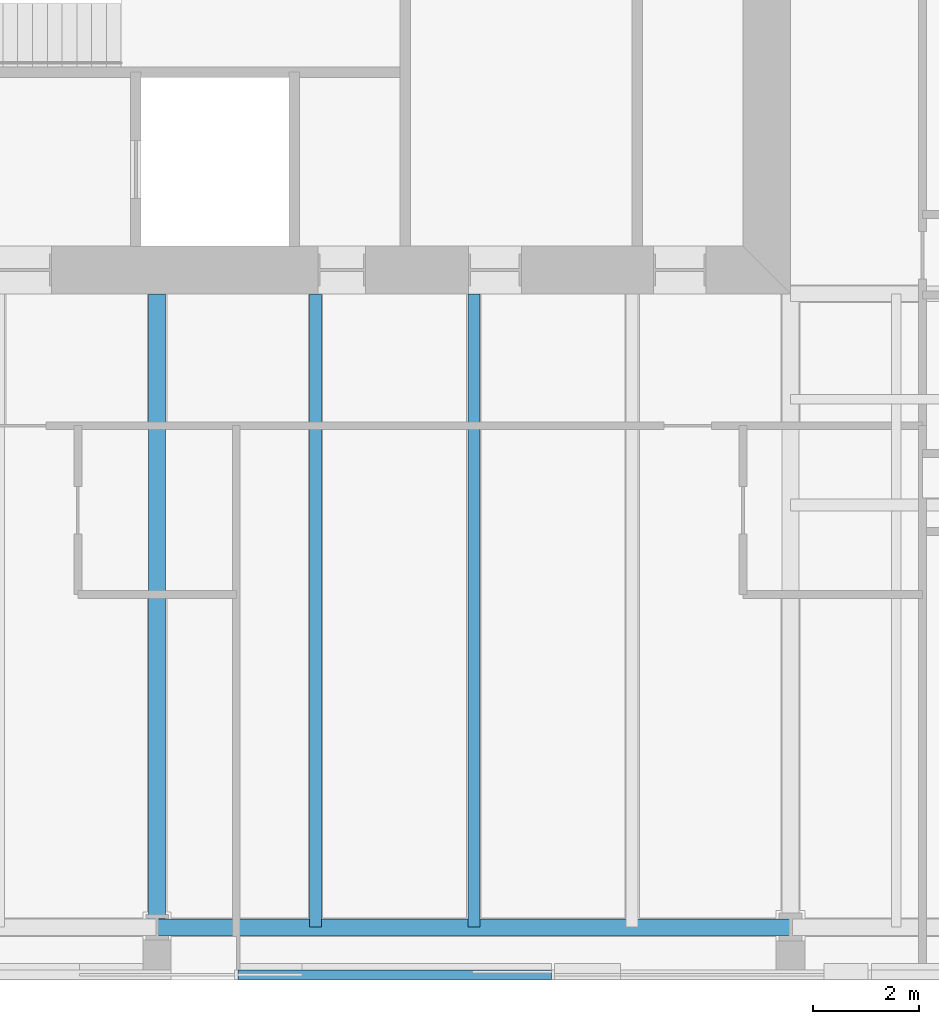
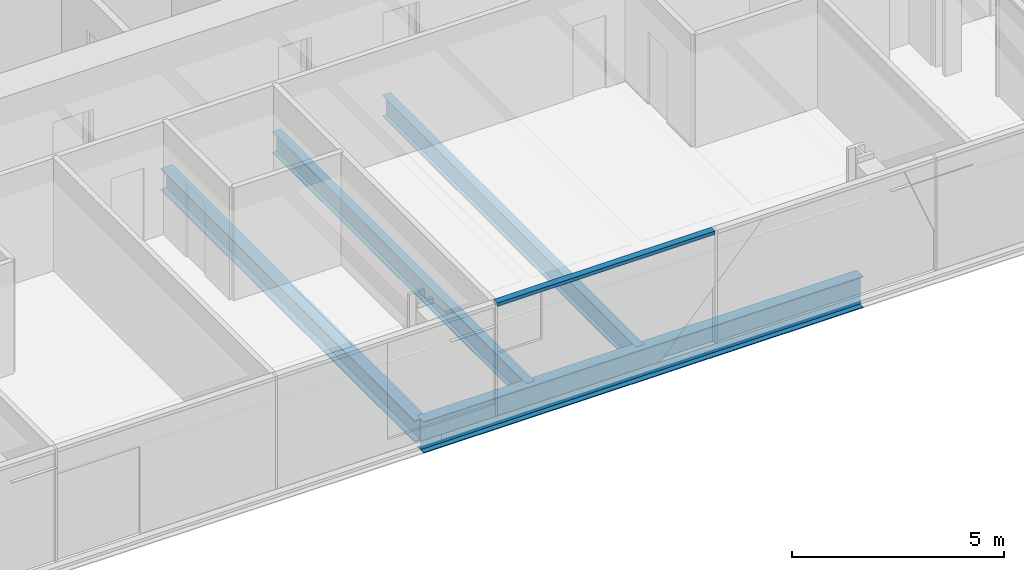
# One storey, part 3 of 20: 4 beams, 1 member, 1 element without a shape of its own.
"""IFC4 building model written with IfcOpenShell, lengths in metres."""

from ifc_helpers import new_model, si_unit, direction, frame, origin, origin_2d, place, context, subcontext, project, spatial, rectangle, i_section, extrude, material, material_profile, profile_set, type_object, element, aggregate, save


model = new_model("IFC4")

# Units and contexts
model_context = context("Model", 3, precision=1e-05, world=origin(), true_north=direction((0.0, 1.0)))
body_context = subcontext(model_context, "Body", "Model", "MODEL_VIEW")
ifc_project = project(units=[si_unit("LENGTHUNIT", "METRE"), si_unit("AREAUNIT", "SQUARE_METRE"), si_unit("VOLUMEUNIT", "CUBIC_METRE"), si_unit("PLANEANGLEUNIT", "RADIAN"), si_unit("MASSUNIT", "GRAM", prefix="KILO")], contexts=[model_context])

# Site, building, storey
site_placement = place(None, origin())
site = spatial("IfcSite", under=ifc_project, at=site_placement, CompositionType="ELEMENT")
building_placement = place(site_placement, origin())
building = spatial("IfcBuilding", under=site, at=building_placement, Name="Fenwick Lantern Interchange", CompositionType="ELEMENT")
storey_placement = place(building_placement, frame((0.0, 0.0, 286.60009765625)))
storey = spatial("IfcBuildingStorey", under=building, at=storey_placement, Name="L69", CompositionType="ELEMENT", Elevation=286.60009765625)

# Beams
ifc_material_1 = material(Name="Steel ASTM A992 Grade 50", Category="steel")
ifc_material_profile_1 = material_profile(ifc_material_1, i_section(OverallWidth=0.3046875, OverallDepth=0.911865234375, WebThickness=0.015869140625, FlangeThickness=0.02392578125, at=origin_2d()), Name="W36X150")
ifc_profile_set_1 = profile_set([ifc_material_profile_1], Name="Steel ASTM A992 Grade 50")
beam_type_1 = type_object("IfcBeamType", Name="EDGE BEAM W36X150", PredefinedType="SPANDREL", material=ifc_profile_set_1)
beam_1_placement = place(storey_placement, frame((25.0, 1.0, -0.60595703125), z_axis=(1.0, 0.0, 0.0), x_axis=(0.0, 1.0, 0.0)))
element("IfcBeam", 1, at=beam_1_placement, inside=storey, type_object=beam_type_1, Name="L69/FR/S/EB3", PredefinedType="SPANDREL", context=body_context, shape_type="SweptSolid", body=[
    extrude(i_section(OverallWidth=0.3046875, OverallDepth=0.911865234375, WebThickness=0.015869140625, FlangeThickness=0.02392578125, at=origin_2d()), origin(), (0.0, 0.0, 1.0), 12.0),
])
ifc_material_profile_2 = material_profile(ifc_material_1, i_section(OverallWidth=0.22900390625, OverallDepth=0.612060546875, WebThickness=0.011962890625, FlangeThickness=0.01953125, at=origin_2d()), Name="W24X84")
ifc_profile_set_2 = profile_set([ifc_material_profile_2], Name="Steel ASTM A992 Grade 50")
beam_type_2 = type_object("IfcBeamType", Name="FLOOR BEAM W24X84", PredefinedType="BEAM", material=ifc_profile_set_2)
for number, where, z_axis, x_axis, name in (
    (2, (28.0, 1.0, -0.4560546875), (0.0, 1.0, 0.0), (-1.0, 0.0, 0.0), "L69/FR/S/R06"),
    (3, (31.0, 1.0, -0.4560546875), (0.0, 1.0, 0.0), (-1.0, 0.0, 0.0), "L69/FR/S/R07"),
):
    element("IfcBeam", number, at=place(storey_placement, frame(where, z_axis=z_axis, x_axis=x_axis)), inside=storey, type_object=beam_type_2, Name=name, PredefinedType="BEAM", context=body_context, shape_type="SweptSolid", body=[
        extrude(i_section(OverallWidth=0.22900390625, OverallDepth=0.612060546875, WebThickness=0.011962890625, FlangeThickness=0.01953125, at=origin_2d()), origin(), (0.0, 0.0, 1.0), 12.0),
    ])

# Curtain wall, member
ifc_material_2 = material(Name="Aluminium curtain wall frame", Category="aluminium")
curtain_wall_type = type_object("IfcCurtainWallType", Name="HOTEL CURTAIN WALL", PredefinedType="USERDEFINED", material=ifc_material_2)
curtain_wall_placement = place(storey_placement, origin())
curtain_wall = element("IfcCurtainWall", 4, at=curtain_wall_placement, inside=storey, type_object=curtain_wall_type, Name="Hotel curtain wall 01", ObjectType="HOTEL CURTAIN WALL", PredefinedType="USERDEFINED")
ifc_material_3 = material(Name="Aluminium extrusion", Category="aluminium")
ifc_material_profile_3 = material_profile(ifc_material_3, rectangle(XDim=0.179931640625, YDim=0.10009765625, at=origin_2d()), Name="HOTEL CURTAIN WALL TRANSOM 100 X 180")
ifc_profile_set_3 = profile_set([ifc_material_profile_3], Name="Aluminium extrusion")
member_type = type_object("IfcMemberType", Name="HOTEL CURTAIN WALL TRANSOM 100 X 180", PredefinedType="MULLION", material=ifc_profile_set_3)
member_placement = place(storey_placement, frame((26.530029296875, 0.10009765625, 3.199951171875), z_axis=(1.0, 0.0, 0.0), x_axis=(0.0, 1.0, 0.0)))
member = element("IfcMember", 5, at=member_placement, type_object=member_type, Name="L69/CW/01/T04", PredefinedType="MULLION", context=body_context, shape_type="SweptSolid", body=[
    extrude(rectangle(XDim=0.179931640625, YDim=0.10009765625, at=origin_2d()), origin(), (0.0, 0.0, 1.0), 5.93994140625),
])
aggregate(curtain_wall, [member])

# Beam
ifc_material_profile_4 = material_profile(ifc_material_1, i_section(OverallWidth=0.32763671875, OverallDepth=0.622314453125, WebThickness=0.015380859375, FlangeThickness=0.0244140625, at=origin_2d()), Name="W24X131")
ifc_profile_set_4 = profile_set([ifc_material_profile_4], Name="Steel ASTM A992 Grade 50")
beam_type_3 = type_object("IfcBeamType", Name="MOMENT-CONNECTED GIRDER W24X131", PredefinedType="BEAM", material=ifc_profile_set_4)
beam_2_placement = place(storey_placement, frame((25.0, 1.0, -0.461181640625), z_axis=(0.0, 1.0, 0.0), x_axis=(-1.0, 0.0, 0.0)))
element("IfcBeam", 6, at=beam_2_placement, inside=storey, type_object=beam_type_3, Name="L69/FR/S/R05", PredefinedType="BEAM", context=body_context, shape_type="SweptSolid", body=[
    extrude(i_section(OverallWidth=0.32763671875, OverallDepth=0.622314453125, WebThickness=0.015380859375, FlangeThickness=0.0244140625, at=origin_2d()), origin(), (0.0, 0.0, 1.0), 12.0),
])

save(model, "model.ifc")
